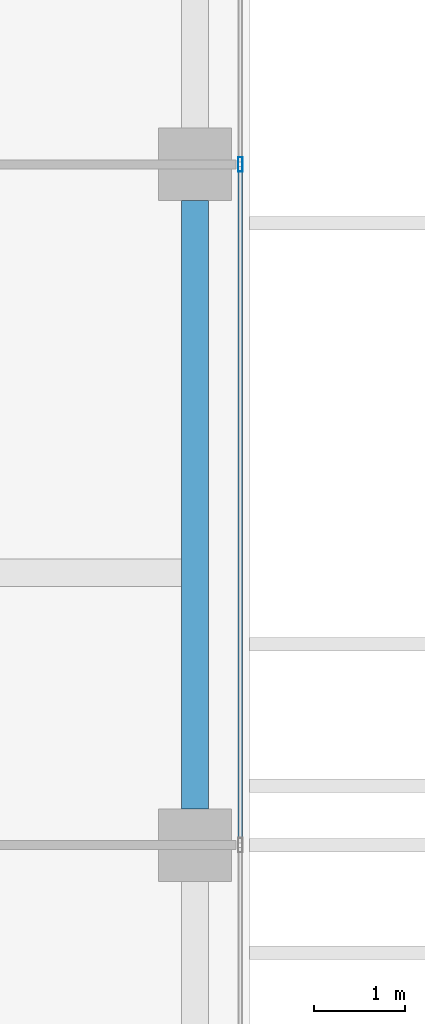
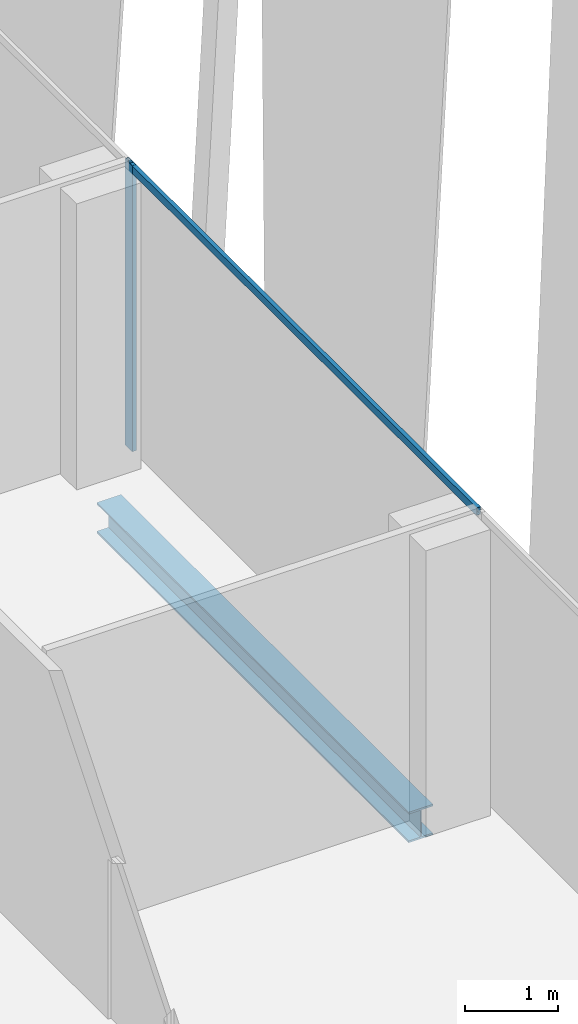
# One storey, part 10 of 32: 2 members, 1 beam, 1 element without a shape of its own.
"""IFC4 building model written with IfcOpenShell, lengths in metres."""

from ifc_helpers import new_model, si_unit, direction, frame, origin, origin_2d, place, context, subcontext, project, spatial, hollow_rectangle, i_section, extrude, source, transform, mapped, material, material_profile, profile_set, type_object, element, aggregate, save


model = new_model("IFC4")

# Units and contexts
model_context = context("Model", 3, precision=1e-05, world=origin(), true_north=direction((0.0, 1.0)))
body_context = subcontext(model_context, "Body", "Model", "MODEL_VIEW")
ifc_project = project(units=[si_unit("LENGTHUNIT", "METRE"), si_unit("AREAUNIT", "SQUARE_METRE"), si_unit("VOLUMEUNIT", "CUBIC_METRE"), si_unit("PLANEANGLEUNIT", "RADIAN"), si_unit("MASSUNIT", "GRAM", prefix="KILO")], contexts=[model_context])

# Site, building, storey
site_placement = place(None, origin())
site = spatial("IfcSite", under=ifc_project, at=site_placement, CompositionType="ELEMENT")
building_placement = place(site_placement, origin())
building = spatial("IfcBuilding", under=site, at=building_placement, Name="Khomas Fold Tower", CompositionType="ELEMENT")
storey_placement = place(building_placement, frame((0.0, 0.0, 306.199951171875)))
storey = spatial("IfcBuildingStorey", under=building, at=storey_placement, Name="L69", CompositionType="ELEMENT", Elevation=306.199951171875)

# Beam
ifc_material_1 = material(Name="Steel S355", Category="steel")
ifc_material_profile_1 = material_profile(ifc_material_1, i_section(OverallWidth=0.300048828125, OverallDepth=0.39990234375, WebThickness=0.013427734375, FlangeThickness=0.02392578125, at=origin_2d()), Name="HE 400 B")
ifc_profile_set_1 = profile_set([ifc_material_profile_1], Name="Steel S355")
beam_type = type_object("IfcBeamType", Name="HE 400 B spandrel SB5", PredefinedType="SPANDREL", material=ifc_profile_set_1)
shared_shape_1 = source(origin(), body_context, "Body", "SweptSolid", [
    extrude(i_section(OverallWidth=0.300048828125, OverallDepth=0.39990234375, WebThickness=0.013427734375, FlangeThickness=0.02392578125, at=origin_2d()), origin(), (0.0, 0.0, 1.0), 6.7001953125),
])
beam_placement = place(storey_placement, frame((47.39990234375, 19.89990234375, -0.449951171875), z_axis=(0.0, 1.0, 0.0), x_axis=(-1.0, 0.0, 0.0)))
element("IfcBeam", 1, at=beam_placement, inside=storey, type_object=beam_type, Name="SB5", PredefinedType="SPANDREL", context=body_context, shape_type="MappedRepresentation", body=[
    mapped(shared_shape_1, transform((0.0, 0.0, 0.0))),
])

# Curtain wall, members
ifc_material_2 = material(Name="Aluminium framed double glazing", Category="aluminium")
curtain_wall_type = type_object("IfcCurtainWallType", Name="SK-Unitised clear-glass wall, upper floors CW3", PredefinedType="NOTDEFINED", material=ifc_material_2)
curtain_wall_placement = place(storey_placement, origin())
curtain_wall = element("IfcCurtainWall", 2, at=curtain_wall_placement, inside=storey, type_object=curtain_wall_type, Name="CW3 run L69 03-0", PredefinedType="NOTDEFINED")
ifc_material_3 = material(Name="Aluminium", Category="aluminium")
ifc_material_profile_2 = material_profile(ifc_material_3, hollow_rectangle(XDim=0.050048828125, YDim=0.159912109375, WallThickness=0.00390625, at=origin_2d()), Name="SK-Unitised clear-glass wall, upper floors mullion CW3-M")
ifc_profile_set_2 = profile_set([ifc_material_profile_2], Name="Aluminium")
member_type_1 = type_object("IfcMemberType", Name="SK-Unitised clear-glass wall, upper floors mullion CW3-M", PredefinedType="MULLION", material=ifc_profile_set_2)
shared_shape_2 = source(origin(), body_context, "Body", "SweptSolid", [
    extrude(hollow_rectangle(XDim=0.050048828125, YDim=0.159912109375, WallThickness=0.00390625, at=origin_2d()), origin(), (0.0, 0.0, 1.0), 3.75),
])
member_1_placement = place(storey_placement, frame((47.89990234375, 27.0, 0.0), z_axis=(0.0, 0.0, 1.0), x_axis=(-1.0, 0.0, 0.0)))
member_1 = element("IfcMember", 3, at=member_1_placement, type_object=member_type_1, Name="CW3 mullion 4", PredefinedType="MULLION", context=body_context, shape_type="MappedRepresentation", body=[
    mapped(shared_shape_2, transform((0.0, 0.0, 0.0))),
])
ifc_material_4 = material(Name="Aluminium", Category="aluminium")
ifc_material_profile_3 = material_profile(ifc_material_4, hollow_rectangle(XDim=0.050048828125, YDim=0.10009765625, WallThickness=0.00390625, at=origin_2d()), Name="SK-Unitised clear-glass wall, upper floors transom CW3-T")
ifc_profile_set_3 = profile_set([ifc_material_profile_3], Name="Aluminium")
member_type_2 = type_object("IfcMemberType", Name="SK-Unitised clear-glass wall, upper floors transom CW3-T", PredefinedType="USERDEFINED", material=ifc_profile_set_3)
shared_shape_3 = source(origin(), body_context, "Body", "SweptSolid", [
    extrude(hollow_rectangle(XDim=0.050048828125, YDim=0.10009765625, WallThickness=0.00390625, at=origin_2d()), origin(), (0.0, 0.0, 1.0), 7.4501953125),
])
member_2_placement = place(storey_placement, frame((47.89990234375, 19.52490234375, 3.699951171875), z_axis=(0.0, 1.0, 0.0), x_axis=(-1.0, 0.0, 0.0)))
member_2 = element("IfcMember", 4, at=member_2_placement, type_object=member_type_2, Name="CW3 transom 3", ObjectType="TRANSOM", PredefinedType="USERDEFINED", context=body_context, shape_type="MappedRepresentation", body=[
    mapped(shared_shape_3, transform((0.0, 0.0, 0.0))),
])
aggregate(curtain_wall, [member_1, member_2])

save(model, "model.ifc")
